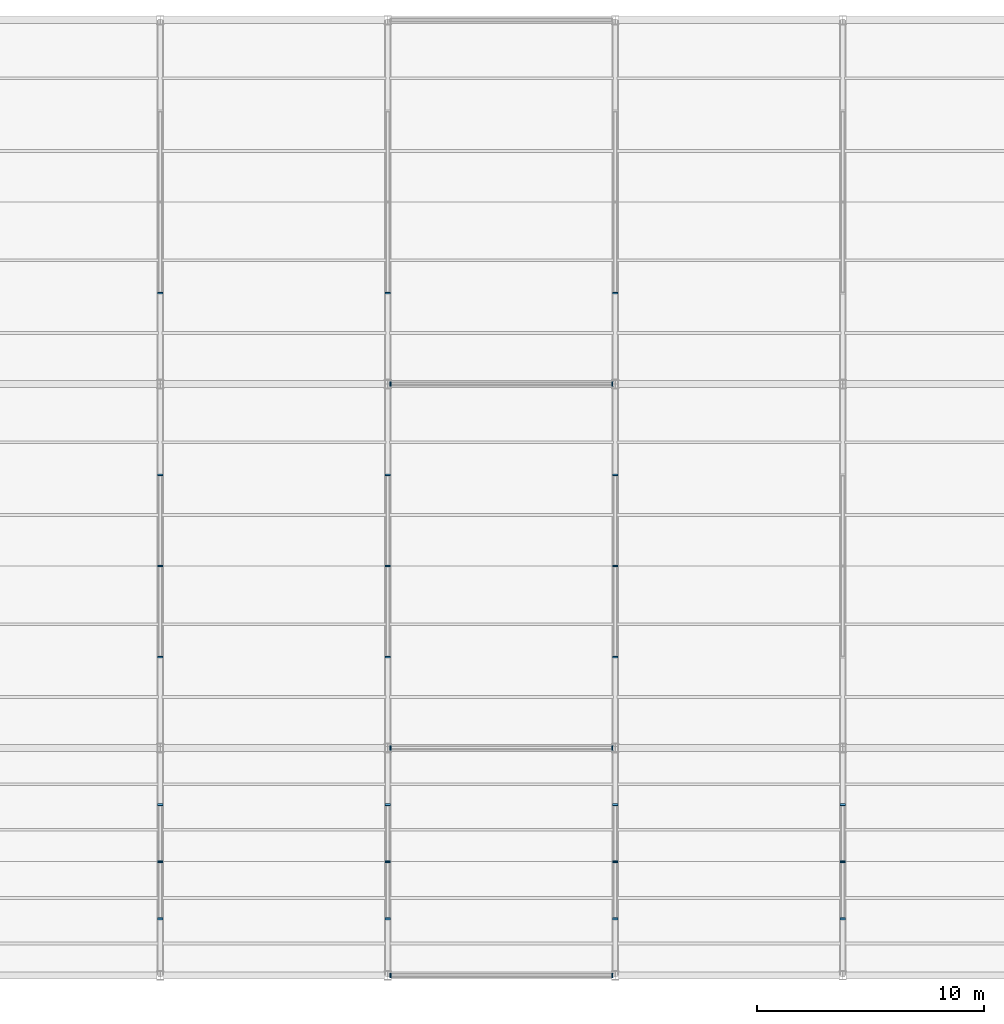
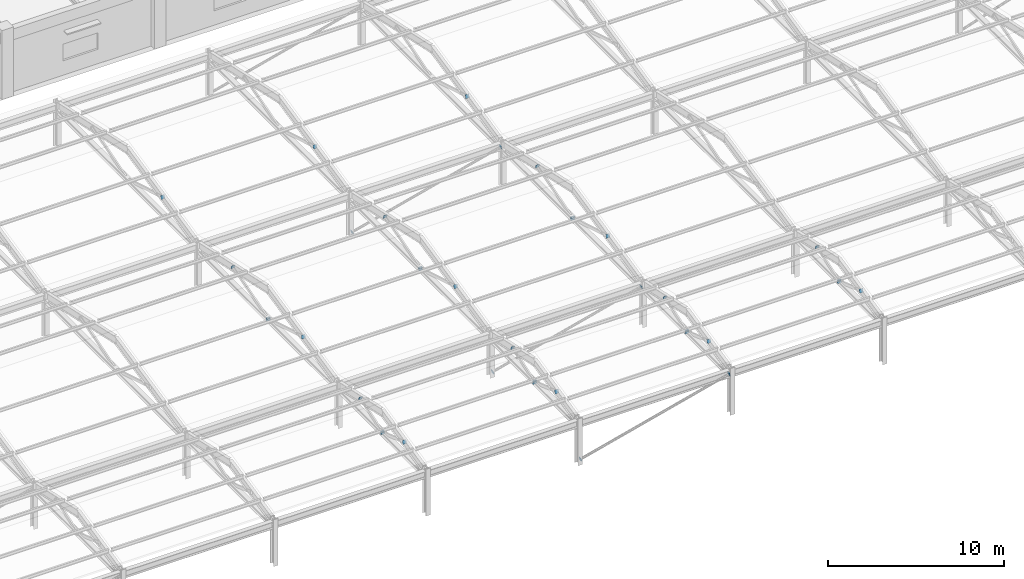
# One storey, part 85 of 109: 37 plates.
"""IFC4 building model written with IfcOpenShell, lengths in metres."""

from ifc_helpers import new_model, si_unit, direction, frame, origin, origin_2d, place, context, subcontext, project, spatial, rectangle, extrude, material, layer, layer_set, type_object, element, save


model = new_model("IFC4")

# Units and contexts
model_context = context("Model", 3, precision=1e-05, world=origin(), true_north=direction((0.0, 1.0)))
body_context = subcontext(model_context, "Body", "Model", "MODEL_VIEW")
ifc_project = project(units=[si_unit("LENGTHUNIT", "METRE"), si_unit("AREAUNIT", "SQUARE_METRE"), si_unit("VOLUMEUNIT", "CUBIC_METRE"), si_unit("PLANEANGLEUNIT", "RADIAN"), si_unit("MASSUNIT", "GRAM", prefix="KILO")], contexts=[model_context])

# Site, building, storey
site_placement = place(None, origin())
site = spatial("IfcSite", under=ifc_project, at=site_placement, CompositionType="ELEMENT")
building_placement = place(site_placement, origin())
building = spatial("IfcBuilding", under=site, at=building_placement, Name="Kivolera Central Railway Station", CompositionType="ELEMENT")
storey_placement = place(building_placement, frame((0.0, 0.0, 9.60009765625)))
storey = spatial("IfcBuildingStorey", under=building, at=storey_placement, Name="L02", CompositionType="ELEMENT", Elevation=9.60009765625)

# Plates
ifc_material = material(Name="Steel S355", Category="steel")
ifc_layer_1 = layer(ifc_material, 0.02001953125, Name="Steel S355")
ifc_layer_set_1 = layer_set([ifc_layer_1], Name="Steel S355")
plate_type_1 = type_object("IfcPlateType", Name="PLT-CAP-210", PredefinedType="SHEET", material=ifc_layer_set_1)
for number, where, z_axis, x_axis, name in (
    (1, (148.123046875, 6.0, 0.2490234375), (0.968639336195, 0.0, 0.24847099705), (0.0, 1.0, 0.0), "Hollow section end-cap plate NP-CAP3"),
    (2, (157.876953125, 6.0, 2.7509765625), (0.968639336195, 0.0, 0.24847099705), (0.0, 1.0, 0.0), "Hollow section end-cap plate NP-CAP3"),
    (3, (148.123046875, 16.0, 0.2490234375), (0.968639336195, 0.0, 0.24847099705), (0.0, 1.0, 0.0), "Hollow section end-cap plate NP-CAP3"),
    (4, (157.876953125, 16.0, 2.7509765625), (0.968639336195, 0.0, 0.24847099705), (0.0, 1.0, 0.0), "Hollow section end-cap plate NP-CAP3"),
    (5, (148.123046875, 32.0, 0.2490234375), (0.968639336195, 0.0, 0.24847099705), (0.0, 1.0, 0.0), "Hollow section end-cap plate NP-CAP3"),
    (6, (157.876953125, 32.0, 2.7509765625), (0.968639336195, 0.0, 0.24847099705), (0.0, 1.0, 0.0), "Hollow section end-cap plate NP-CAP3"),
):
    element("IfcPlate", number, at=place(storey_placement, frame(where, z_axis=z_axis, x_axis=x_axis)), inside=storey, type_object=plate_type_1, Name=name, PredefinedType="SHEET", context=body_context, shape_type="SweptSolid", body=[
        extrude(rectangle(XDim=0.2099609375, YDim=0.2099609375, at=origin_2d()), frame((0.0, 0.0, -0.010009765625)), (0.0, 0.0, 1.0), 0.02001953125),
    ])
ifc_layer_2 = layer(ifc_material, 0.02197265625, Name="Steel S355")
ifc_layer_set_2 = layer_set([ifc_layer_2], Name="Steel S355")
plate_type_2 = type_object("IfcPlateType", Name="PLT-CAP-260", PredefinedType="SHEET", material=ifc_layer_set_2)
for number, where, z_axis, x_axis, name in (
    (7, (138.0, 11.00390625, 2.618896484375), (0.0, -0.946194484088, 0.32359851403), (1.0, 0.0, 0.0), "Hollow section end-cap plate NP-CAP2"),
    (8, (138.0, 8.49609375, 3.475830078125), (0.0, -0.946194484088, 0.32359851403), (1.0, 0.0, 0.0), "Hollow section end-cap plate NP-CAP2"),
    (9, (138.0, 10.99609375, 2.618896484375), (0.0, 0.946194484088, 0.32359851403), (-1.0, 0.0, 0.0), "Hollow section end-cap plate NP-CAP2"),
    (10, (138.0, 13.50390625, 3.475830078125), (0.0, 0.946194484088, 0.32359851403), (-1.0, 0.0, 0.0), "Hollow section end-cap plate NP-CAP2"),
    (11, (138.0, 24.00390625, 2.618896484375), (0.0, -0.958810202665, 0.284047522901), (1.0, 0.0, 0.0), "Hollow section end-cap plate NP-CAP2"),
    (12, (138.0, 19.99609375, 3.805908203125), (0.0, -0.958810202665, 0.284047522901), (1.0, 0.0, 0.0), "Hollow section end-cap plate NP-CAP2"),
    (13, (138.0, 23.99609375, 2.618896484375), (0.0, 0.958810202665, 0.284047522901), (-1.0, 0.0, 0.0), "Hollow section end-cap plate NP-CAP2"),
    (14, (138.0, 28.00390625, 3.805908203125), (0.0, 0.958810202665, 0.284047522901), (-1.0, 0.0, 0.0), "Hollow section end-cap plate NP-CAP2"),
    (15, (138.0, 35.99609375, 3.805908203125), (0.0, -0.958810202665, 0.284047522901), (1.0, 0.0, 0.0), "Hollow section end-cap plate NP-CAP2"),
    (16, (148.0, 11.00390625, 2.618896484375), (0.0, -0.946194484088, 0.32359851403), (1.0, 0.0, 0.0), "Hollow section end-cap plate NP-CAP2"),
    (17, (148.0, 8.49609375, 3.475830078125), (0.0, -0.946194484088, 0.32359851403), (1.0, 0.0, 0.0), "Hollow section end-cap plate NP-CAP2"),
    (18, (148.0, 10.99609375, 2.618896484375), (0.0, 0.946194484088, 0.32359851403), (-1.0, 0.0, 0.0), "Hollow section end-cap plate NP-CAP2"),
    (19, (148.0, 13.50390625, 3.475830078125), (0.0, 0.946194484088, 0.32359851403), (-1.0, 0.0, 0.0), "Hollow section end-cap plate NP-CAP2"),
    (20, (148.0, 24.00390625, 2.618896484375), (0.0, -0.958810202665, 0.284047522901), (1.0, 0.0, 0.0), "Hollow section end-cap plate NP-CAP2"),
    (21, (148.0, 19.99609375, 3.805908203125), (0.0, -0.958810202665, 0.284047522901), (1.0, 0.0, 0.0), "Hollow section end-cap plate NP-CAP2"),
    (22, (148.0, 23.99609375, 2.618896484375), (0.0, 0.958810202665, 0.284047522901), (-1.0, 0.0, 0.0), "Hollow section end-cap plate NP-CAP2"),
    (23, (148.0, 28.00390625, 3.805908203125), (0.0, 0.958810202665, 0.284047522901), (-1.0, 0.0, 0.0), "Hollow section end-cap plate NP-CAP2"),
    (24, (148.0, 35.99609375, 3.805908203125), (0.0, -0.958810202665, 0.284047522901), (1.0, 0.0, 0.0), "Hollow section end-cap plate NP-CAP2"),
    (25, (158.0, 11.00390625, 2.618896484375), (0.0, -0.946194484088, 0.32359851403), (1.0, 0.0, 0.0), "Hollow section end-cap plate NP-CAP2"),
    (26, (158.0, 8.49609375, 3.475830078125), (0.0, -0.946194484088, 0.32359851403), (1.0, 0.0, 0.0), "Hollow section end-cap plate NP-CAP2"),
    (27, (158.0, 10.99609375, 2.618896484375), (0.0, 0.946194484088, 0.32359851403), (-1.0, 0.0, 0.0), "Hollow section end-cap plate NP-CAP2"),
    (28, (158.0, 13.50390625, 3.475830078125), (0.0, 0.946194484088, 0.32359851403), (-1.0, 0.0, 0.0), "Hollow section end-cap plate NP-CAP2"),
    (29, (158.0, 24.00390625, 2.618896484375), (0.0, -0.958810202665, 0.284047522901), (1.0, 0.0, 0.0), "Hollow section end-cap plate NP-CAP2"),
    (30, (158.0, 19.99609375, 3.805908203125), (0.0, -0.958810202665, 0.284047522901), (1.0, 0.0, 0.0), "Hollow section end-cap plate NP-CAP2"),
    (31, (158.0, 23.99609375, 2.618896484375), (0.0, 0.958810202665, 0.284047522901), (-1.0, 0.0, 0.0), "Hollow section end-cap plate NP-CAP2"),
    (32, (158.0, 28.00390625, 3.805908203125), (0.0, 0.958810202665, 0.284047522901), (-1.0, 0.0, 0.0), "Hollow section end-cap plate NP-CAP2"),
    (33, (158.0, 35.99609375, 3.805908203125), (0.0, -0.958810202665, 0.284047522901), (1.0, 0.0, 0.0), "Hollow section end-cap plate NP-CAP2"),
    (34, (168.0, 11.00390625, 2.618896484375), (0.0, -0.946194484088, 0.32359851403), (1.0, 0.0, 0.0), "Hollow section end-cap plate NP-CAP2"),
    (35, (168.0, 8.49609375, 3.475830078125), (0.0, -0.946194484088, 0.32359851403), (1.0, 0.0, 0.0), "Hollow section end-cap plate NP-CAP2"),
    (36, (168.0, 10.99609375, 2.618896484375), (0.0, 0.946194484088, 0.32359851403), (-1.0, 0.0, 0.0), "Hollow section end-cap plate NP-CAP2"),
    (37, (168.0, 13.50390625, 3.475830078125), (0.0, 0.946194484088, 0.32359851403), (-1.0, 0.0, 0.0), "Hollow section end-cap plate NP-CAP2"),
):
    element("IfcPlate", number, at=place(storey_placement, frame(where, z_axis=z_axis, x_axis=x_axis)), inside=storey, type_object=plate_type_2, Name=name, PredefinedType="SHEET", context=body_context, shape_type="SweptSolid", body=[
        extrude(rectangle(XDim=0.239990234375, YDim=0.239990234375, at=origin_2d()), frame((0.0, 0.0, -0.010986328125)), (0.0, 0.0, 1.0), 0.02197265625),
    ])

save(model, "model.ifc")
